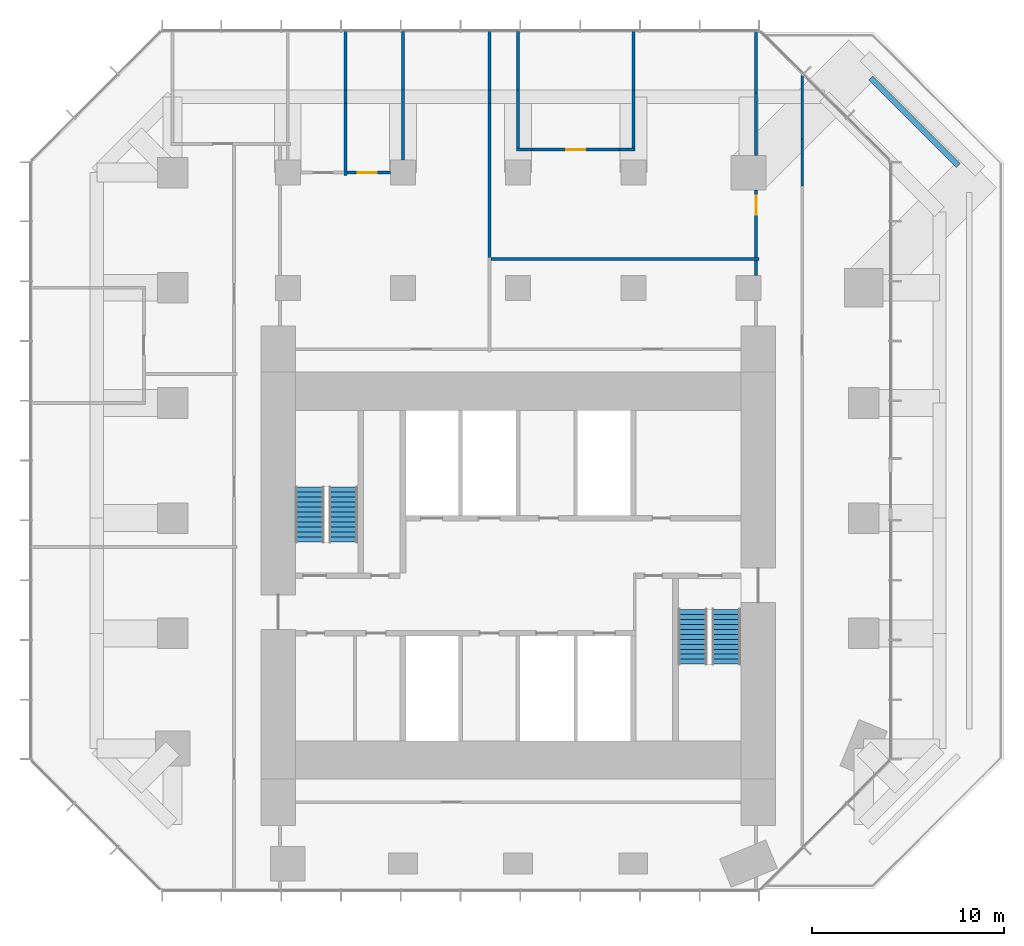
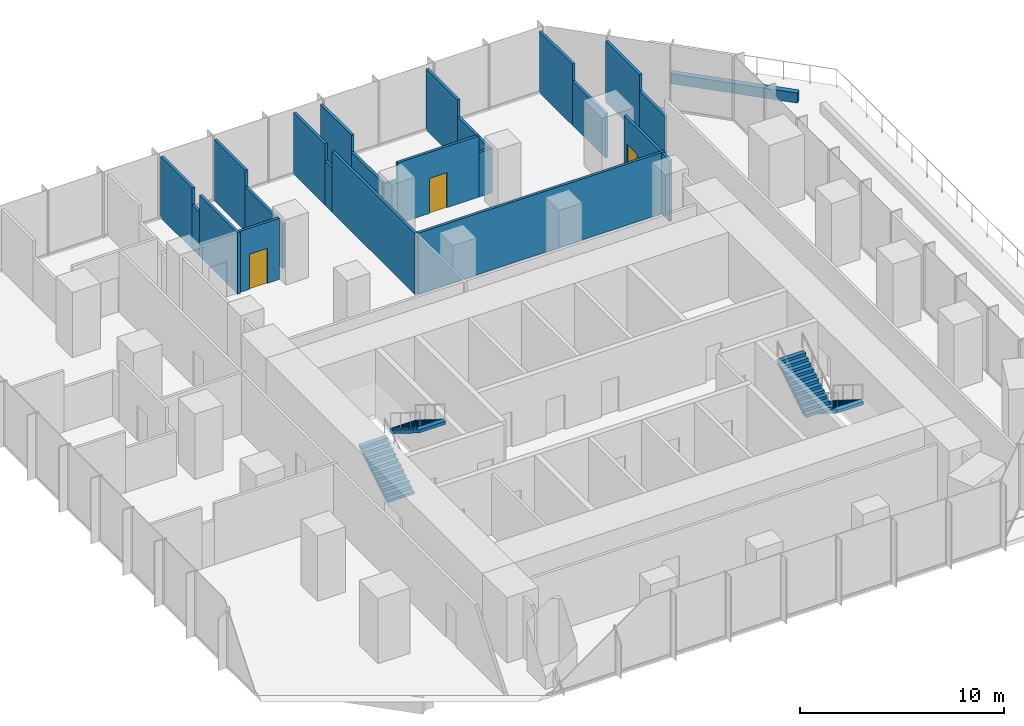
# One storey, part 10 of 11: 24 walls, 4 stair flights, 3 doors, 3 openings, 2 elements without a shape of their own.
"""IFC4 building model written with IfcOpenShell, lengths in metres."""

from ifc_helpers import new_model, si_unit, direction, frame, frame_2d, origin, place, context, subcontext, project, spatial, polyline, rectangle, outline, extrude, material, layer, layer_set, type_object, element, fill, aggregate, save


model = new_model("IFC4")

# Units and contexts
model_context = context("Model", 3, precision=1e-05, world=origin(), true_north=direction((0.0, 1.0)))
body_context = subcontext(model_context, "Body", "Model", "MODEL_VIEW")
ifc_project = project(units=[si_unit("LENGTHUNIT", "METRE"), si_unit("AREAUNIT", "SQUARE_METRE"), si_unit("VOLUMEUNIT", "CUBIC_METRE"), si_unit("PLANEANGLEUNIT", "RADIAN"), si_unit("MASSUNIT", "GRAM", prefix="KILO")], contexts=[model_context])

# Site, building, storey
site_placement = place(None, origin())
site = spatial("IfcSite", under=ifc_project, at=site_placement, CompositionType="ELEMENT")
building_placement = place(site_placement, origin())
building = spatial("IfcBuilding", under=site, at=building_placement, Name="Highveld Stack Headquarters", CompositionType="ELEMENT")
storey_placement = place(building_placement, frame((0.0, 0.0, 188.89990234375)))
storey = spatial("IfcBuildingStorey", under=building, at=storey_placement, Name="L46", CompositionType="ELEMENT", Elevation=188.89990234375)

# Wall, opening, door
ifc_material_1 = material(Name="Gypsum plasterboard on steel studs", Category="steel")
ifc_layer_1 = layer(ifc_material_1, 0.14990234375)
ifc_layer_set_1 = layer_set([ifc_layer_1], Name="Gypsum plasterboard on steel studs")
wall_type_1 = type_object("IfcWallType", Name="PARTITION 150 PLASTERBOARD", PredefinedType="PARTITIONING", material=ifc_layer_set_1)
wall_1_placement = place(storey_placement, frame((-2.925048828125, 24.0, 0.0), z_axis=(0.0, 0.0, 1.0), x_axis=(1.0, 0.0, 0.0)))
wall_1 = element("IfcWall", 1, at=wall_1_placement, inside=storey, type_object=wall_type_1, Name="Partition Office L46", PredefinedType="PARTITIONING", context=body_context, shape_type="SweptSolid", body=[
    extrude(rectangle(XDim=2.26513671875, YDim=0.14990234375, at=frame_2d((1.132568359375, 0.0))), origin(), (0.0, 0.0, 1.0), 3.650146484375),
])
opening_1_placement = place(wall_1_placement, frame((0.570068359375, 0.0, 0.0)))
opening_1 = element("IfcOpeningElement", 2, at=opening_1_placement, cuts=wall_1, Name="Opening L46-16", PredefinedType="OPENING", context=body_context, shape_type="SweptSolid", body=[
    extrude(rectangle(XDim=1.0, YDim=2.10009765625, at=frame_2d((0.5, 1.050048828125))), frame((0.0, 0.0849609375, 0.0), z_axis=(0.0, -1.0, 0.0), x_axis=(1.0, 0.0, 0.0)), (0.0, 0.0, 1.0), 0.169921875),
])
ifc_material_2 = material(Name="Timber door, oiled ash", Category="wood")
door_type = type_object("IfcDoorType", Name="ROOM DOOR D6 1000x2100", OperationType="SINGLE_SWING_LEFT", PredefinedType="DOOR", material=ifc_material_2)
door_1_placement = place(opening_1_placement, origin())
door_1 = element("IfcDoor", 3, at=door_1_placement, inside=storey, type_object=door_type, Name="Office door 1 L46", OperationType="SINGLE_SWING_LEFT", OverallHeight=2.10009765625, OverallWidth=1.0, PredefinedType="DOOR", context=body_context, shape_type="SweptSolid", body=[
    extrude(rectangle(XDim=1.0, YDim=2.10009765625, at=frame_2d((0.5, 1.050048828125))), frame((0.0, 0.02490234375, 0.0), z_axis=(0.0, -1.0, 0.0), x_axis=(1.0, 0.0, 0.0)), (0.0, 0.0, 1.0), 0.050048828125),
])
fill(opening_1, door_1)

# Wall
wall_2_placement = place(storey_placement, frame((5.925048828125, 25.199951171875, 0.0), z_axis=(0.0, 0.0, 1.0), x_axis=(1.0, 0.0, 0.0)))
element("IfcWall", 4, at=wall_2_placement, inside=storey, type_object=wall_type_1, Name="Partition Tea kitchen L46", PredefinedType="PARTITIONING", context=body_context, shape_type="SweptSolid", body=[
    extrude(rectangle(XDim=0.784912109375, YDim=0.14990234375, at=frame_2d((0.392578125, 0.0))), origin(), (0.0, 0.0, 1.0), 2.650146484375),
])

# Wall, opening, door
wall_3_placement = place(storey_placement, frame((6.7099609375, 25.199951171875, 0.0), z_axis=(0.0, 0.0, 1.0), x_axis=(1.0, 0.0, 0.0)))
wall_3 = element("IfcWall", 5, at=wall_3_placement, inside=storey, type_object=wall_type_1, Name="Partition Tea kitchen L46", PredefinedType="PARTITIONING", context=body_context, shape_type="SweptSolid", body=[
    extrude(rectangle(XDim=4.580078125, YDim=0.14990234375, at=frame_2d((2.2900390625, 0.0))), origin(), (0.0, 0.0, 1.0), 3.650146484375),
])
opening_2_placement = place(wall_3_placement, frame((1.7900390625, 0.0, 0.0)))
opening_2 = element("IfcOpeningElement", 6, at=opening_2_placement, cuts=wall_3, Name="Opening L46-17", PredefinedType="OPENING", context=body_context, shape_type="SweptSolid", body=[
    extrude(rectangle(XDim=1.0, YDim=2.10009765625, at=frame_2d((0.5, 1.050048828125))), frame((0.0, 0.0849609375, 0.0), z_axis=(0.0, -1.0, 0.0), x_axis=(1.0, 0.0, 0.0)), (0.0, 0.0, 1.0), 0.169921875),
])
door_2_placement = place(opening_2_placement, origin())
door_2 = element("IfcDoor", 7, at=door_2_placement, inside=storey, type_object=door_type, Name="Tea kitchen door 1 L46", OperationType="SINGLE_SWING_RIGHT", OverallHeight=2.10009765625, OverallWidth=1.0, PredefinedType="DOOR", context=body_context, shape_type="SweptSolid", body=[
    extrude(rectangle(XDim=1.0, YDim=2.10009765625, at=frame_2d((0.5, 1.050048828125))), frame((0.0, 0.02490234375, 0.0), z_axis=(0.0, -1.0, 0.0), x_axis=(1.0, 0.0, 0.0)), (0.0, 0.0, 1.0), 0.050048828125),
])
fill(opening_2, door_2)

# Walls
wall_4_placement = place(storey_placement, frame((11.2900390625, 25.199951171875, 0.0), z_axis=(0.0, 0.0, 1.0), x_axis=(1.0, 0.0, 0.0)))
element("IfcWall", 8, at=wall_4_placement, inside=storey, type_object=wall_type_1, Name="Partition Tea kitchen L46", PredefinedType="PARTITIONING", context=body_context, shape_type="SweptSolid", body=[
    extrude(rectangle(XDim=0.784912109375, YDim=0.14990234375, at=frame_2d((0.392578125, 0.0))), origin(), (0.0, 0.0, 1.0), 2.650146484375),
])
wall_5_placement = place(storey_placement, frame((-3.0, 23.85009765625, 0.0), z_axis=(0.0, 0.0, 1.0), x_axis=(0.0, 1.0, 0.0)))
element("IfcWall", 9, at=wall_5_placement, inside=storey, type_object=wall_type_1, Name="Partition Office L46", PredefinedType="PARTITIONING", context=body_context, shape_type="SweptSolid", body=[
    extrude(rectangle(XDim=3.739990234375, YDim=0.14990234375, at=frame_2d((1.8701171875, 0.0))), origin(), (0.0, 0.0, 1.0), 3.650146484375),
])
wall_6_placement = place(storey_placement, frame((-3.0, 27.590087890625, 0.0), z_axis=(0.0, 0.0, 1.0), x_axis=(0.0, 1.0, 0.0)))
element("IfcWall", 10, at=wall_6_placement, inside=storey, type_object=wall_type_1, Name="Partition Office L46", PredefinedType="PARTITIONING", context=body_context, shape_type="SweptSolid", body=[
    extrude(rectangle(XDim=0.719970703125, YDim=0.14990234375, at=frame_2d((0.35986328125, 0.0))), origin(), (0.0, 0.0, 1.0), 2.650146484375),
])
wall_7_placement = place(storey_placement, frame((-3.0, 28.31005859375, 0.0), z_axis=(0.0, 0.0, 1.0), x_axis=(0.0, 1.0, 0.0)))
element("IfcWall", 11, at=wall_7_placement, inside=storey, type_object=wall_type_1, Name="Partition Office L46", PredefinedType="PARTITIONING", context=body_context, shape_type="SweptSolid", body=[
    extrude(rectangle(XDim=3.08984375, YDim=0.14990234375, at=frame_2d((1.544921875, 0.0))), origin(), (0.0, 0.0, 1.0), 3.650146484375),
])
wall_8_placement = place(storey_placement, frame((0.0, 24.64990234375, 0.0), z_axis=(0.0, 0.0, 1.0), x_axis=(0.0, 1.0, 0.0)))
element("IfcWall", 12, at=wall_8_placement, inside=storey, type_object=wall_type_1, Name="Partition Office L46", PredefinedType="PARTITIONING", context=body_context, shape_type="SweptSolid", body=[
    extrude(rectangle(XDim=3.66015625, YDim=0.14990234375, at=frame_2d((1.830078125, 0.0))), origin(), (0.0, 0.0, 1.0), 2.650146484375),
])
wall_9_placement = place(storey_placement, frame((0.0, 28.31005859375, 0.0), z_axis=(0.0, 0.0, 1.0), x_axis=(0.0, 1.0, 0.0)))
element("IfcWall", 13, at=wall_9_placement, inside=storey, type_object=wall_type_1, Name="Partition Office L46", PredefinedType="PARTITIONING", context=body_context, shape_type="SweptSolid", body=[
    extrude(rectangle(XDim=3.0400390625, YDim=0.14990234375, at=frame_2d((1.52001953125, 0.0))), origin(), (0.0, 0.0, 1.0), 3.650146484375),
])
wall_10_placement = place(storey_placement, frame((6.0, 25.27490234375, 0.0), z_axis=(0.0, 0.0, 1.0), x_axis=(0.0, 1.0, 0.0)))
element("IfcWall", 14, at=wall_10_placement, inside=storey, type_object=wall_type_1, Name="Partition Tea kitchen L46", PredefinedType="PARTITIONING", context=body_context, shape_type="SweptSolid", body=[
    extrude(rectangle(XDim=3.03515625, YDim=0.14990234375, at=frame_2d((1.517578125, 0.0))), origin(), (0.0, 0.0, 1.0), 2.650146484375),
])
wall_11_placement = place(storey_placement, frame((6.0, 28.31005859375, 0.0), z_axis=(0.0, 0.0, 1.0), x_axis=(0.0, 1.0, 0.0)))
element("IfcWall", 15, at=wall_11_placement, inside=storey, type_object=wall_type_1, Name="Partition Tea kitchen L46", PredefinedType="PARTITIONING", context=body_context, shape_type="SweptSolid", body=[
    extrude(rectangle(XDim=3.0400390625, YDim=0.14990234375, at=frame_2d((1.52001953125, 0.0))), origin(), (0.0, 0.0, 1.0), 3.650146484375),
])
wall_12_placement = place(storey_placement, frame((12.0, 25.27490234375, 0.0), z_axis=(0.0, 0.0, 1.0), x_axis=(0.0, 1.0, 0.0)))
element("IfcWall", 16, at=wall_12_placement, inside=storey, type_object=wall_type_1, Name="Partition Tea kitchen L46", PredefinedType="PARTITIONING", context=body_context, shape_type="SweptSolid", body=[
    extrude(rectangle(XDim=3.03515625, YDim=0.14990234375, at=frame_2d((1.517578125, 0.0))), origin(), (0.0, 0.0, 1.0), 2.650146484375),
])
wall_13_placement = place(storey_placement, frame((12.0, 28.31005859375, 0.0), z_axis=(0.0, 0.0, 1.0), x_axis=(0.0, 1.0, 0.0)))
element("IfcWall", 17, at=wall_13_placement, inside=storey, type_object=wall_type_1, Name="Partition Tea kitchen L46", PredefinedType="PARTITIONING", context=body_context, shape_type="SweptSolid", body=[
    extrude(rectangle(XDim=3.08984375, YDim=0.14990234375, at=frame_2d((1.544921875, 0.0))), origin(), (0.0, 0.0, 1.0), 3.650146484375),
])
wall_14_placement = place(storey_placement, frame((4.5, 19.5, 0.0), z_axis=(0.0, 0.0, 1.0), x_axis=(0.0, 1.0, 0.0)))
element("IfcWall", 18, at=wall_14_placement, inside=storey, type_object=wall_type_1, Name="Partition office neighbourhood L46", PredefinedType="PARTITIONING", context=body_context, shape_type="SweptSolid", body=[
    extrude(rectangle(XDim=8.090087890625, YDim=0.14990234375, at=frame_2d((4.044921875, 0.0))), origin(), (0.0, 0.0, 1.0), 3.650146484375),
])
wall_15_placement = place(storey_placement, frame((4.5, 27.590087890625, 0.0), z_axis=(0.0, 0.0, 1.0), x_axis=(0.0, 1.0, 0.0)))
element("IfcWall", 19, at=wall_15_placement, inside=storey, type_object=wall_type_1, Name="Partition office neighbourhood L46", PredefinedType="PARTITIONING", context=body_context, shape_type="SweptSolid", body=[
    extrude(rectangle(XDim=0.719970703125, YDim=0.14990234375, at=frame_2d((0.35986328125, 0.0))), origin(), (0.0, 0.0, 1.0), 2.650146484375),
])
wall_16_placement = place(storey_placement, frame((4.5, 28.31005859375, 0.0), z_axis=(0.0, 0.0, 1.0), x_axis=(0.0, 1.0, 0.0)))
element("IfcWall", 20, at=wall_16_placement, inside=storey, type_object=wall_type_1, Name="Partition office neighbourhood L46", PredefinedType="PARTITIONING", context=body_context, shape_type="SweptSolid", body=[
    extrude(rectangle(XDim=3.08984375, YDim=0.14990234375, at=frame_2d((1.544921875, 0.0))), origin(), (0.0, 0.0, 1.0), 3.650146484375),
])
wall_17_placement = place(storey_placement, frame((4.574951171875, 19.5, 0.0), z_axis=(0.0, 0.0, 1.0), x_axis=(1.0, 0.0, 0.0)))
element("IfcWall", 21, at=wall_17_placement, inside=storey, type_object=wall_type_1, Name="Partition office neighbourhood L46", PredefinedType="PARTITIONING", context=body_context, shape_type="SweptSolid", body=[
    extrude(rectangle(XDim=13.97509765625, YDim=0.14990234375, at=frame_2d((6.987548828125, 0.0))), origin(), (0.0, 0.0, 1.0), 3.650146484375),
])
wall_18_placement = place(storey_placement, frame((18.39990234375, 18.64990234375, 0.0), z_axis=(0.0, 0.0, 1.0), x_axis=(0.0, 1.0, 0.0)))
element("IfcWall", 22, at=wall_18_placement, inside=storey, type_object=wall_type_1, Name="Partition office neighbourhood L46", PredefinedType="PARTITIONING", context=body_context, shape_type="SweptSolid", body=[
    extrude(rectangle(XDim=0.775146484375, YDim=0.14990234375, at=frame_2d((0.3876953125, 0.0))), origin(), (0.0, 0.0, 1.0), 3.650146484375),
])

# Wall, opening, door
wall_19_placement = place(storey_placement, frame((18.39990234375, 19.574951171875, 0.0), z_axis=(0.0, 0.0, 1.0), x_axis=(0.0, 1.0, 0.0)))
wall_19 = element("IfcWall", 23, at=wall_19_placement, inside=storey, type_object=wall_type_1, Name="Partition office neighbourhood L46", PredefinedType="PARTITIONING", context=body_context, shape_type="SweptSolid", body=[
    extrude(rectangle(XDim=3.525146484375, YDim=0.14990234375, at=frame_2d((1.7626953125, 0.0))), origin(), (0.0, 0.0, 1.0), 3.650146484375),
])
opening_3_placement = place(wall_19_placement, frame((2.22509765625, 0.0, 0.0)))
opening_3 = element("IfcOpeningElement", 24, at=opening_3_placement, cuts=wall_19, Name="Opening L46-24", PredefinedType="OPENING", context=body_context, shape_type="SweptSolid", body=[
    extrude(rectangle(XDim=1.0, YDim=2.10009765625, at=frame_2d((0.5, 1.050048828125))), frame((0.0, 0.0849609375, 0.0), z_axis=(0.0, -1.0, 0.0), x_axis=(1.0, 0.0, 0.0)), (0.0, 0.0, 1.0), 0.169921875),
])
door_3_placement = place(opening_3_placement, origin())
door_3 = element("IfcDoor", 25, at=door_3_placement, inside=storey, type_object=door_type, Name="Office neighbourhood door L46", OperationType="SINGLE_SWING_RIGHT", OverallHeight=2.10009765625, OverallWidth=1.0, PredefinedType="DOOR", context=body_context, shape_type="SweptSolid", body=[
    extrude(rectangle(XDim=1.0, YDim=2.10009765625, at=frame_2d((0.5, 1.050048828125))), frame((0.0, 0.02490234375, 0.0), z_axis=(0.0, -1.0, 0.0), x_axis=(1.0, 0.0, 0.0)), (0.0, 0.0, 1.0), 0.050048828125),
])
fill(opening_3, door_3)

# Walls
wall_20_placement = place(storey_placement, frame((18.39990234375, 24.89990234375, 0.0), z_axis=(0.0, 0.0, 1.0), x_axis=(0.0, 1.0, 0.0)))
element("IfcWall", 26, at=wall_20_placement, inside=storey, type_object=wall_type_1, Name="Partition office neighbourhood L46", PredefinedType="PARTITIONING", context=body_context, shape_type="SweptSolid", body=[
    extrude(rectangle(XDim=3.239990234375, YDim=0.14990234375, at=frame_2d((1.6201171875, 0.0))), origin(), (0.0, 0.0, 1.0), 2.650146484375),
])
wall_21_placement = place(storey_placement, frame((18.39990234375, 28.139892578125, 0.0), z_axis=(0.0, 0.0, 1.0), x_axis=(0.0, 1.0, 0.0)))
element("IfcWall", 27, at=wall_21_placement, inside=storey, type_object=wall_type_1, Name="Partition office neighbourhood L46", PredefinedType="PARTITIONING", context=body_context, shape_type="SweptSolid", body=[
    extrude(rectangle(XDim=3.260009765625, YDim=0.14990234375, at=frame_2d((1.6298828125, 0.0))), origin(), (0.0, 0.0, 1.0), 3.650146484375),
])
wall_22_placement = place(storey_placement, frame((20.800048828125, 23.2900390625, 0.0), z_axis=(0.0, 0.0, 1.0), x_axis=(0.0, 1.0, 0.0)))
element("IfcWall", 28, at=wall_22_placement, inside=storey, type_object=wall_type_1, Name="Partition office neighbourhood L46", PredefinedType="PARTITIONING", context=body_context, shape_type="SweptSolid", body=[
    extrude(rectangle(XDim=2.449951171875, YDim=0.14990234375, at=frame_2d((1.22509765625, 0.0))), origin(), (0.0, 0.0, 1.0), 2.650146484375),
])
wall_23_placement = place(storey_placement, frame((20.800048828125, 25.739990234375, 0.0), z_axis=(0.0, 0.0, 1.0), x_axis=(0.0, 1.0, 0.0)))
element("IfcWall", 29, at=wall_23_placement, inside=storey, type_object=wall_type_1, Name="Partition office neighbourhood L46", PredefinedType="PARTITIONING", context=body_context, shape_type="SweptSolid", body=[
    extrude(rectangle(XDim=3.323974609375, YDim=0.14990234375, at=frame_2d((1.662109375, 0.0))), origin(), (0.0, 0.0, 1.0), 3.650146484375),
])
ifc_material_3 = material(Name="Concrete C40/50, precast planter", Category="concrete")
ifc_layer_2 = layer(ifc_material_3, 0.300048828125)
ifc_layer_set_2 = layer_set([ifc_layer_2], Name="Concrete C40/50, precast planter")
wall_type_2 = type_object("IfcWallType", Name="PLANTER WALL PL1 300", PredefinedType="USERDEFINED", material=ifc_layer_set_2)
wall_24_placement = place(storey_placement, frame((24.370361328125, 28.922607421875, 0.0), z_axis=(0.0, 0.0, 1.0), x_axis=(0.707106781187, -0.707106781187, 0.0)))
element("IfcWall", 30, at=wall_24_placement, inside=storey, type_object=wall_type_2, Name="Planter L46 1.2", ObjectType="PLANTER", PredefinedType="USERDEFINED", context=body_context, shape_type="SweptSolid", body=[
    extrude(rectangle(XDim=6.437744140625, YDim=0.300048828125, at=frame_2d((3.21875, 0.0))), origin(), (0.0, 0.0, 1.0), 0.60009765625),
])

# Stair, stair flights
ifc_material_4 = material(Name="Concrete C40/50, precast", Category="concrete")
stair_type_1 = type_object("IfcStairType", Name="STAIR S1 HALF TURN 1500", PredefinedType="HALF_TURN_STAIR", material=ifc_material_4)
stair_1_placement = place(storey_placement, origin())
stair_1 = element("IfcStair", 31, at=stair_1_placement, inside=storey, type_object=stair_type_1, Name="Stair S1 L46", PredefinedType="HALF_TURN_STAIR")
ifc_material_5 = material(Name="Concrete C40/50, precast", Category="concrete")
stair_flight_type = type_object("IfcStairFlightType", Name="STAIR FLIGHT 1500 PRECAST", PredefinedType="STRAIGHT", material=ifc_material_5)
stair_flight_1_placement = place(storey_placement, frame((-4.85009765625, 4.75, 0.0), z_axis=(0.0, 0.0, 1.0), x_axis=(0.0, 1.0, 0.0)))
stair_flight_1 = element("IfcStairFlight", 32, at=stair_flight_1_placement, type_object=stair_flight_type, Name="S1 flight 1", NumberOfRisers=12, NumberOfTreads=11, PredefinedType="STRAIGHT", RiserHeight=0.1625, TreadLength=0.26, context=body_context, shape_type="SweptSolid", body=[
    extrude(outline(polyline([(0.0, 0.0), (0.0, 0.16259765625), (0.260009765625, 0.16259765625), (0.260009765625, 0.324951171875), (0.52001953125, 0.324951171875), (0.52001953125, 0.487548828125), (0.780029296875, 0.487548828125), (0.780029296875, 0.64990234375), (1.0400390625, 0.64990234375), (1.0400390625, 0.8125), (1.300048828125, 0.8125), (1.300048828125, 0.97509765625), (1.56005859375, 0.97509765625), (1.56005859375, 1.137451171875), (1.820068359375, 1.137451171875), (1.820068359375, 1.300048828125), (2.080078125, 1.300048828125), (2.080078125, 1.46240234375), (2.340087890625, 1.46240234375), (2.340087890625, 1.625), (2.60009765625, 1.625), (2.60009765625, 1.78759765625), (2.860107421875, 1.78759765625), (2.860107421875, 1.949951171875), (2.860107421875, 1.61083984375), (0.28271484375, 0.0), (0.0, 0.0)])), frame((0.0, 0.75, 0.0), z_axis=(0.0, -1.0, 0.0), x_axis=(1.0, 0.0, 0.0)), (0.0, 0.0, 1.0), 1.5),
])
stair_flight_2_placement = place(storey_placement, frame((-3.10009765625, 7.610107421875, 1.9501953125), z_axis=(0.0, 0.0, 1.0), x_axis=(0.0, -1.0, 0.0)))
stair_flight_2 = element("IfcStairFlight", 33, at=stair_flight_2_placement, type_object=stair_flight_type, Name="S1 flight 2", NumberOfRisers=12, NumberOfTreads=11, PredefinedType="STRAIGHT", RiserHeight=0.1625, TreadLength=0.26, context=body_context, shape_type="SweptSolid", body=[
    extrude(outline(polyline([(0.0, 0.0), (0.0, 0.16259765625), (0.260009765625, 0.16259765625), (0.260009765625, 0.324951171875), (0.52001953125, 0.324951171875), (0.52001953125, 0.487548828125), (0.780029296875, 0.487548828125), (0.780029296875, 0.64990234375), (1.0400390625, 0.64990234375), (1.0400390625, 0.8125), (1.300048828125, 0.8125), (1.300048828125, 0.97509765625), (1.56005859375, 0.97509765625), (1.56005859375, 1.137451171875), (1.820068359375, 1.137451171875), (1.820068359375, 1.300048828125), (2.080078125, 1.300048828125), (2.080078125, 1.46240234375), (2.340087890625, 1.46240234375), (2.340087890625, 1.625), (2.60009765625, 1.625), (2.60009765625, 1.78759765625), (2.860107421875, 1.78759765625), (2.860107421875, 1.949951171875), (2.860107421875, 1.61083984375), (0.28271484375, 0.0), (0.0, 0.0)])), frame((0.0, 0.75, 0.0), z_axis=(0.0, -1.0, 0.0), x_axis=(1.0, 0.0, 0.0)), (0.0, 0.0, 1.0), 1.5),
])
aggregate(stair_1, [stair_flight_1, stair_flight_2])

ifc_material_6 = material(Name="Concrete C40/50, precast", Category="concrete")
stair_type_2 = type_object("IfcStairType", Name="STAIR S2 HALF TURN 1500", PredefinedType="HALF_TURN_STAIR", material=ifc_material_6)
stair_2_placement = place(storey_placement, origin())
stair_2 = element("IfcStair", 34, at=stair_2_placement, inside=storey, type_object=stair_type_2, Name="Stair S2 L46", PredefinedType="HALF_TURN_STAIR")
stair_flight_3_placement = place(storey_placement, frame((16.85009765625, 1.25, 0.0), z_axis=(0.0, 0.0, 1.0), x_axis=(0.0, -1.0, 0.0)))
stair_flight_3 = element("IfcStairFlight", 35, at=stair_flight_3_placement, type_object=stair_flight_type, Name="S2 flight 1", NumberOfRisers=12, NumberOfTreads=11, PredefinedType="STRAIGHT", RiserHeight=0.1625, TreadLength=0.26, context=body_context, shape_type="SweptSolid", body=[
    extrude(outline(polyline([(0.0, 0.0), (0.0, 0.16259765625), (0.260009765625, 0.16259765625), (0.260009765625, 0.324951171875), (0.52001953125, 0.324951171875), (0.52001953125, 0.487548828125), (0.780029296875, 0.487548828125), (0.780029296875, 0.64990234375), (1.0400390625, 0.64990234375), (1.0400390625, 0.8125), (1.300048828125, 0.8125), (1.300048828125, 0.97509765625), (1.56005859375, 0.97509765625), (1.56005859375, 1.137451171875), (1.820068359375, 1.137451171875), (1.820068359375, 1.300048828125), (2.080078125, 1.300048828125), (2.080078125, 1.46240234375), (2.340087890625, 1.46240234375), (2.340087890625, 1.625), (2.60009765625, 1.625), (2.60009765625, 1.78759765625), (2.860107421875, 1.78759765625), (2.860107421875, 1.949951171875), (2.860107421875, 1.61083984375), (0.28271484375, 0.0), (0.0, 0.0)])), frame((0.0, 0.75, 0.0), z_axis=(0.0, -1.0, 0.0), x_axis=(1.0, 0.0, 0.0)), (0.0, 0.0, 1.0), 1.5),
])
stair_flight_4_placement = place(storey_placement, frame((15.10009765625, -1.610107421875, 1.9501953125), z_axis=(0.0, 0.0, 1.0), x_axis=(0.0, 1.0, 0.0)))
stair_flight_4 = element("IfcStairFlight", 36, at=stair_flight_4_placement, type_object=stair_flight_type, Name="S2 flight 2", NumberOfRisers=12, NumberOfTreads=11, PredefinedType="STRAIGHT", RiserHeight=0.1625, TreadLength=0.26, context=body_context, shape_type="SweptSolid", body=[
    extrude(outline(polyline([(0.0, 0.0), (0.0, 0.16259765625), (0.260009765625, 0.16259765625), (0.260009765625, 0.324951171875), (0.52001953125, 0.324951171875), (0.52001953125, 0.487548828125), (0.780029296875, 0.487548828125), (0.780029296875, 0.64990234375), (1.0400390625, 0.64990234375), (1.0400390625, 0.8125), (1.300048828125, 0.8125), (1.300048828125, 0.97509765625), (1.56005859375, 0.97509765625), (1.56005859375, 1.137451171875), (1.820068359375, 1.137451171875), (1.820068359375, 1.300048828125), (2.080078125, 1.300048828125), (2.080078125, 1.46240234375), (2.340087890625, 1.46240234375), (2.340087890625, 1.625), (2.60009765625, 1.625), (2.60009765625, 1.78759765625), (2.860107421875, 1.78759765625), (2.860107421875, 1.949951171875), (2.860107421875, 1.61083984375), (0.28271484375, 0.0), (0.0, 0.0)])), frame((0.0, 0.75, 0.0), z_axis=(0.0, -1.0, 0.0), x_axis=(1.0, 0.0, 0.0)), (0.0, 0.0, 1.0), 1.5),
])
aggregate(stair_2, [stair_flight_3, stair_flight_4])

save(model, "model.ifc")
